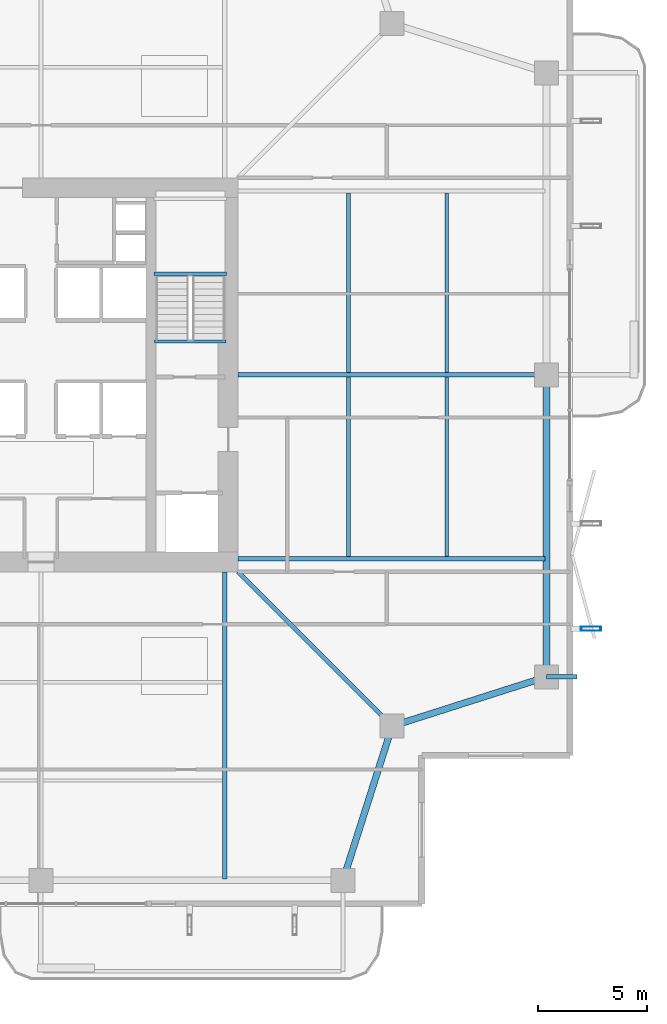
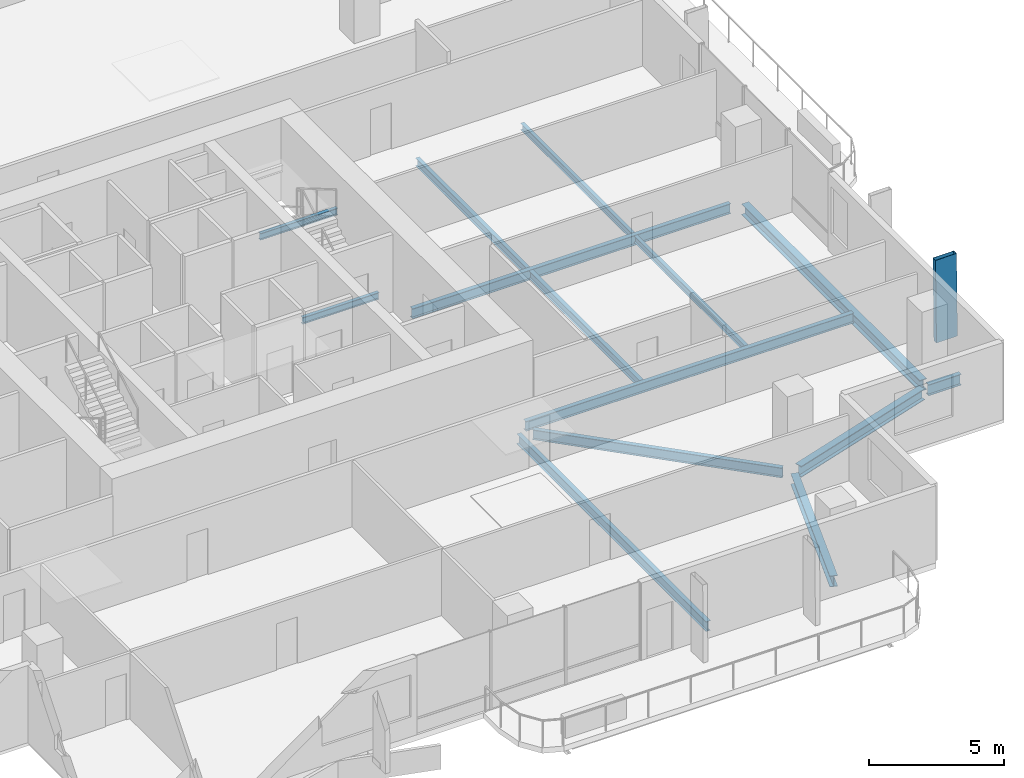
# One storey, part 9 of 24: 14 beams, 1 member.
"""IFC4 building model written with IfcOpenShell, lengths in metres."""

from ifc_helpers import new_model, si_unit, direction, frame, origin, origin_2d, place, context, subcontext, project, spatial, hollow_rectangle, i_section, extrude, material, material_profile, profile_set, type_object, element, save


model = new_model("IFC4")

# Units and contexts
model_context = context("Model", 3, precision=1e-05, world=origin(), true_north=direction((0.0, 1.0)))
body_context = subcontext(model_context, "Body", "Model", "MODEL_VIEW")
ifc_project = project(units=[si_unit("LENGTHUNIT", "METRE"), si_unit("AREAUNIT", "SQUARE_METRE"), si_unit("VOLUMEUNIT", "CUBIC_METRE"), si_unit("PLANEANGLEUNIT", "RADIAN"), si_unit("MASSUNIT", "GRAM", prefix="KILO")], contexts=[model_context])

# Site, building, storey
site_placement = place(None, origin())
site = spatial("IfcSite", under=ifc_project, at=site_placement, CompositionType="ELEMENT")
building_placement = place(site_placement, origin())
building = spatial("IfcBuilding", under=site, at=building_placement, Name="Belovzor Exchange Tower", CompositionType="ELEMENT")
storey_placement = place(building_placement, frame((0.0, 0.0, 179.550048828125)))
storey = spatial("IfcBuildingStorey", under=building, at=storey_placement, Name="L44", CompositionType="ELEMENT", Elevation=179.550048828125)

# Beams
ifc_material_1 = material(Name="Steel S355", Category="steel")
ifc_material_profile_1 = material_profile(ifc_material_1, i_section(OverallWidth=0.199951171875, OverallDepth=0.5, WebThickness=0.01025390625, FlangeThickness=0.01611328125, at=origin_2d()))
ifc_profile_set_1 = profile_set([ifc_material_profile_1], Name="Steel S355")
beam_type_1 = type_object("IfcBeamType", Name="Planted Balcony Cantilever Beam IPE 500", PredefinedType="BEAM", material=ifc_profile_set_1)
beam_1_placement = place(storey_placement, frame((51.89990234375, 15.0, -0.505126953125), z_axis=(1.0, 0.0, 0.0), x_axis=(0.0, 1.0, 0.0)))
element("IfcBeam", 1, at=beam_1_placement, inside=storey, type_object=beam_type_1, Name="BC-500 Planted Balcony Cantilever Beam IPE 500", PredefinedType="BEAM", context=body_context, shape_type="SweptSolid", body=[
    extrude(i_section(OverallWidth=0.199951171875, OverallDepth=0.5, WebThickness=0.01025390625, FlangeThickness=0.01611328125, at=origin_2d()), origin(), (0.0, 0.0, 1.0), 1.400146484375),
])
ifc_material_2 = material(Name="Steel S355", Category="steel")
ifc_material_profile_2 = material_profile(ifc_material_2, i_section(OverallWidth=0.169921875, OverallDepth=0.360107421875, WebThickness=0.008056640625, FlangeThickness=0.0126953125, at=origin_2d()))
ifc_profile_set_2 = profile_set([ifc_material_profile_2], Name="Steel S355")
beam_type_2 = type_object("IfcBeamType", Name="Secondary Infill Floor Joist IPE 360", PredefinedType="BEAM", material=ifc_profile_set_2)
for number, where, z_axis, x_axis, name in (
    (2, (42.84912109375, 20.4951171875, -0.43505859375), (0.0, 1.0, 0.0), (-1.0, 0.0, 0.0), "FJ-360 Secondary Infill Floor Joist IPE 360"),
    (3, (42.84912109375, 28.89501953125, -0.43505859375), (0.0, 1.0, 0.0), (-1.0, 0.0, 0.0), "FJ-360 Secondary Infill Floor Joist IPE 360"),
):
    element("IfcBeam", number, at=place(storey_placement, frame(where, z_axis=z_axis, x_axis=x_axis)), inside=storey, type_object=beam_type_2, Name=name, PredefinedType="BEAM", context=body_context, shape_type="SweptSolid", body=[
        extrude(i_section(OverallWidth=0.169921875, OverallDepth=0.360107421875, WebThickness=0.008056640625, FlangeThickness=0.0126953125, at=origin_2d()), origin(), (0.0, 0.0, 1.0), 8.2099609375),
    ])
ifc_material_3 = material(Name="Steel S355", Category="steel")
ifc_material_profile_3 = material_profile(ifc_material_3, i_section(OverallWidth=0.14990234375, OverallDepth=0.300048828125, WebThickness=0.007080078125, FlangeThickness=0.0107421875, at=origin_2d()))
ifc_profile_set_3 = profile_set([ifc_material_profile_3], Name="Steel S355")
beam_type_3 = type_object("IfcBeamType", Name="Secondary Trim Floor Joist IPE 300", PredefinedType="BEAM", material=ifc_profile_set_3)
beam_2_placement = place(storey_placement, frame((37.280029296875, 33.419921875, 1.52490234375), z_axis=(-1.0, 0.0, 0.0), x_axis=(0.0, -1.0, 0.0)))
element("IfcBeam", 4, at=beam_2_placement, inside=storey, type_object=beam_type_3, Name="FJ-300 Secondary Trim Floor Joist IPE 300", PredefinedType="BEAM", context=body_context, shape_type="SweptSolid", body=[
    extrude(i_section(OverallWidth=0.14990234375, OverallDepth=0.300048828125, WebThickness=0.007080078125, FlangeThickness=0.0107421875, at=origin_2d()), origin(), (0.0, 0.0, 1.0), 3.31005859375),
])
beam_3_placement = place(storey_placement, frame((37.260009765625, 30.320068359375, -0.405029296875), z_axis=(-1.0, 0.0, 0.0), x_axis=(0.0, -1.0, 0.0)))
element("IfcBeam", 5, at=beam_3_placement, inside=storey, type_object=beam_type_3, Name="FJ-300 Secondary Trim Floor Joist IPE 300", PredefinedType="BEAM", context=body_context, shape_type="SweptSolid", body=[
    extrude(i_section(OverallWidth=0.14990234375, OverallDepth=0.300048828125, WebThickness=0.007080078125, FlangeThickness=0.0107421875, at=origin_2d()), origin(), (0.0, 0.0, 1.0), 3.27001953125),
])
for number, where, z_axis, x_axis, name in (
    (6, (47.3369140625, 20.4951171875, -0.405029296875), (0.0, 1.0, 0.0), (-1.0, 0.0, 0.0), "FJ-300 Secondary Trim Floor Joist IPE 300"),
    (7, (47.3369140625, 28.89501953125, -0.405029296875), (0.0, 1.0, 0.0), (-1.0, 0.0, 0.0), "FJ-300 Secondary Trim Floor Joist IPE 300"),
):
    element("IfcBeam", number, at=place(storey_placement, frame(where, z_axis=z_axis, x_axis=x_axis)), inside=storey, type_object=beam_type_3, Name=name, PredefinedType="BEAM", context=body_context, shape_type="SweptSolid", body=[
        extrude(i_section(OverallWidth=0.14990234375, OverallDepth=0.300048828125, WebThickness=0.007080078125, FlangeThickness=0.0107421875, at=origin_2d()), origin(), (0.0, 0.0, 1.0), 8.2099609375),
    ])

# Member
ifc_material_4 = material(Name="Extruded Architectural Terracotta on Steel S355 Carrier", Category="masonry")
ifc_material_profile_4 = material_profile(ifc_material_4, hollow_rectangle(XDim=0.199951171875, YDim=0.89990234375, WallThickness=0.011962890625, at=origin_2d()))
ifc_profile_set_4 = profile_set([ifc_material_profile_4], Name="Extruded Architectural Terracotta on Steel S355 Carrier")
member_type = type_object("IfcMemberType", Name="Sweeping Terracotta Baguette Fin Assembly 1250", PredefinedType="USERDEFINED", material=ifc_profile_set_4)
member_placement = place(storey_placement, frame((53.952880859375, 17.199951171875, -0.255126953125), z_axis=(-0.011197214661, 0.0, 0.999937309227), x_axis=(0.0, -1.0, 0.0)))
element("IfcMember", 8, at=member_placement, inside=storey, type_object=member_type, Name="FIN-TC125 Terracotta Facade Fin L44 E1", ObjectType="FIN", PredefinedType="USERDEFINED", context=body_context, shape_type="SweptSolid", body=[
    extrude(hollow_rectangle(XDim=0.199951171875, YDim=0.89990234375, WallThickness=0.011962890625, at=origin_2d()), origin(), (0.0, 0.0, 1.0), 3.750244140625),
])

# Beams
ifc_material_5 = material(Name="Steel S355", Category="steel")
ifc_material_profile_5 = material_profile(ifc_material_5, i_section(OverallWidth=0.18994140625, OverallDepth=0.449951171875, WebThickness=0.009521484375, FlangeThickness=0.0146484375, at=origin_2d()))
ifc_profile_set_5 = profile_set([ifc_material_profile_5], Name="Steel S355")
beam_type_4 = type_object("IfcBeamType", Name="Zone 2-4 Radial Composite Floor Beam IPE 450", PredefinedType="BEAM", material=ifc_profile_set_5)
beam_4_placement = place(storey_placement, frame((37.199951171875, 19.800048828125, -0.47998046875), z_axis=(0.0, -1.0, 0.0), x_axis=(1.0, 0.0, 0.0)))
element("IfcBeam", 9, at=beam_4_placement, inside=storey, type_object=beam_type_4, Name="FB-450 Zone 2-4 Radial Composite Floor Beam IPE 450", PredefinedType="BEAM", context=body_context, shape_type="SweptSolid", body=[
    extrude(i_section(OverallWidth=0.18994140625, OverallDepth=0.449951171875, WebThickness=0.009521484375, FlangeThickness=0.0146484375, at=origin_2d()), origin(), (0.0, 0.0, 1.0), 14.025146484375),
])
beam_5_placement = place(storey_placement, frame((37.800048828125, 20.39990234375, -0.47998046875), z_axis=(1.0, 0.0, 0.0), x_axis=(0.0, 1.0, 0.0)))
element("IfcBeam", 10, at=beam_5_placement, inside=storey, type_object=beam_type_4, Name="FB-450 Zone 2-4 Radial Composite Floor Beam IPE 450", PredefinedType="BEAM", context=body_context, shape_type="SweptSolid", body=[
    extrude(i_section(OverallWidth=0.18994140625, OverallDepth=0.449951171875, WebThickness=0.009521484375, FlangeThickness=0.0146484375, at=origin_2d()), origin(), (0.0, 0.0, 1.0), 14.02490234375),
])
beam_6_placement = place(storey_placement, frame((37.800048828125, 28.800048828125, -0.47998046875), z_axis=(1.0, 0.0, 0.0), x_axis=(0.0, 1.0, 0.0)))
element("IfcBeam", 11, at=beam_6_placement, inside=storey, type_object=beam_type_4, Name="FB-450 Zone 2-4 Radial Composite Floor Beam IPE 450", PredefinedType="BEAM", context=body_context, shape_type="SweptSolid", body=[
    extrude(i_section(OverallWidth=0.18994140625, OverallDepth=0.449951171875, WebThickness=0.009521484375, FlangeThickness=0.0146484375, at=origin_2d()), origin(), (0.0, 0.0, 1.0), 13.615966796875),
])
beam_7_placement = place(storey_placement, frame((37.800048828125, 19.800048828125, -0.47998046875), z_axis=(0.707094040639, -0.707119521505, 0.0), x_axis=(0.707119521505, 0.707094040639, 0.0)))
element("IfcBeam", 12, at=beam_7_placement, inside=storey, type_object=beam_type_4, Name="FB-450 Zone 2-4 Radial Composite Floor Beam IPE 450", PredefinedType="BEAM", context=body_context, shape_type="SweptSolid", body=[
    extrude(i_section(OverallWidth=0.18994140625, OverallDepth=0.449951171875, WebThickness=0.009521484375, FlangeThickness=0.0146484375, at=origin_2d()), origin(), (0.0, 0.0, 1.0), 9.581298828125),
])
ifc_material_6 = material(Name="Steel S355", Category="steel")
ifc_material_profile_6 = material_profile(ifc_material_6, i_section(OverallWidth=0.300048828125, OverallDepth=0.5, WebThickness=0.014404296875, FlangeThickness=0.028076171875, at=origin_2d()))
ifc_profile_set_6 = profile_set([ifc_material_profile_6], Name="Steel S355")
beam_type_5 = type_object("IfcBeamType", Name="Zone 3 Waist Primary Girder HEB 500", PredefinedType="BEAM", material=ifc_profile_set_6)
for number, where, z_axis, x_axis, name in (
    (13, (42.69189453125, 5.988037109375, -0.505126953125), (0.304044336164, 0.952657882792, 0.0), (-0.952657882792, 0.304044336164, 0.0), "FG-Z3 Zone 3 Waist Primary Girder HEB 500"),
    (14, (45.137939453125, 12.842041015625, -0.505126953125), (0.952671608699, 0.304001325621, 0.0), (-0.304001325621, 0.952671608699, 0.0), "FG-Z3 Zone 3 Waist Primary Girder HEB 500"),
):
    element("IfcBeam", number, at=place(storey_placement, frame(where, z_axis=z_axis, x_axis=x_axis)), inside=storey, type_object=beam_type_5, Name=name, PredefinedType="BEAM", context=body_context, shape_type="SweptSolid", body=[
        extrude(i_section(OverallWidth=0.300048828125, OverallDepth=0.5, WebThickness=0.014404296875, FlangeThickness=0.028076171875, at=origin_2d()), origin(), (0.0, 0.0, 1.0), 6.795654296875),
    ])
beam_8_placement = place(storey_placement, frame((51.89990234375, 15.302978515625, -0.505126953125), z_axis=(0.0, 1.0, 0.0), x_axis=(-1.0, 0.0, 0.0)))
element("IfcBeam", 15, at=beam_8_placement, inside=storey, type_object=beam_type_5, Name="FG-Z3 Zone 3 Waist Primary Girder HEB 500", PredefinedType="BEAM", context=body_context, shape_type="SweptSolid", body=[
    extrude(i_section(OverallWidth=0.300048828125, OverallDepth=0.5, WebThickness=0.014404296875, FlangeThickness=0.028076171875, at=origin_2d()), origin(), (0.0, 0.0, 1.0), 13.195068359375),
])

save(model, "model.ifc")
